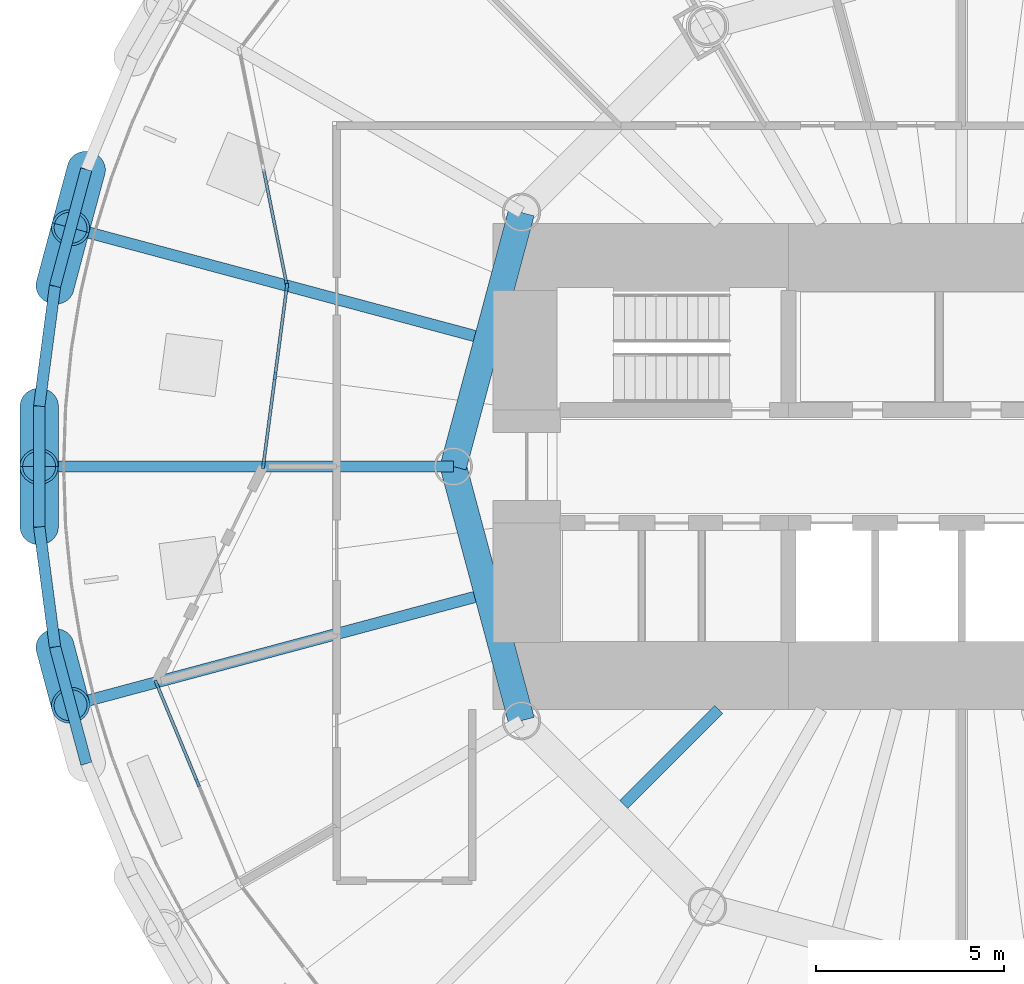
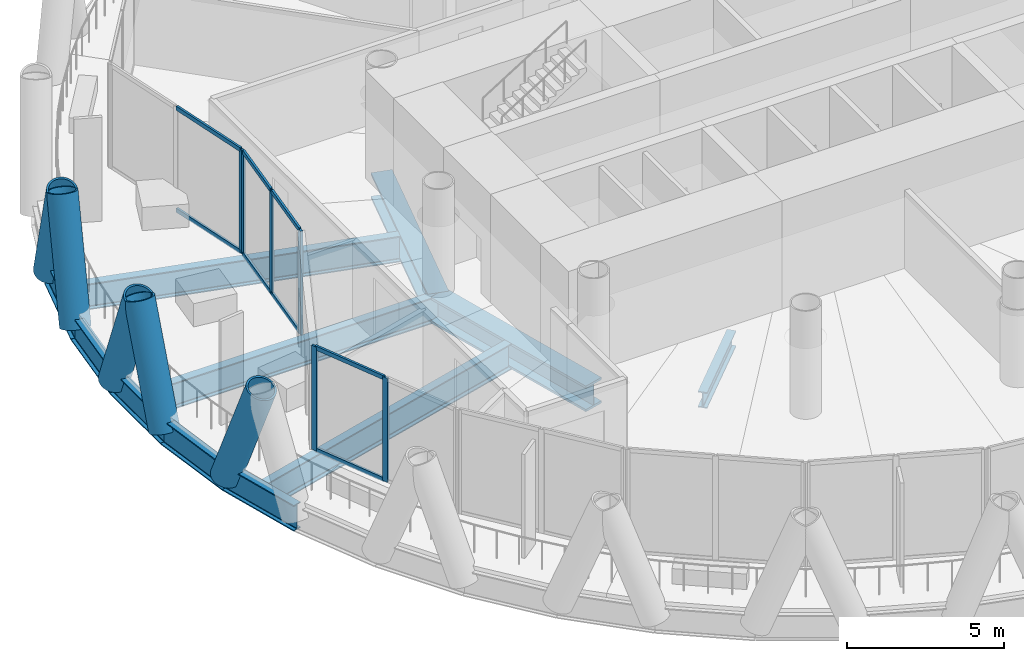
# One storey, part 3 of 16: 19 members, 11 beams, 3 elements without a shape of their own.
"""IFC4 building model written with IfcOpenShell, lengths in metres."""

from ifc_helpers import new_model, si_unit, direction, frame, origin, origin_2d, place, context, subcontext, project, spatial, rectangle, hollow_circle, i_section, extrude, material, material_profile, profile_set, type_object, element, aggregate, save


model = new_model("IFC4")

# Units and contexts
model_context = context("Model", 3, precision=1e-05, world=origin(), true_north=direction((0.0, 1.0)))
body_context = subcontext(model_context, "Body", "Model", "MODEL_VIEW")
ifc_project = project(units=[si_unit("LENGTHUNIT", "METRE"), si_unit("AREAUNIT", "SQUARE_METRE"), si_unit("VOLUMEUNIT", "CUBIC_METRE"), si_unit("PLANEANGLEUNIT", "RADIAN"), si_unit("MASSUNIT", "GRAM", prefix="KILO")], contexts=[model_context])

# Site, building, storey
site_placement = place(None, origin())
site = spatial("IfcSite", under=ifc_project, at=site_placement, CompositionType="ELEMENT")
building_placement = place(site_placement, origin())
building = spatial("IfcBuilding", under=site, at=building_placement, Name="Qaws Media Tower", CompositionType="ELEMENT")
storey_placement = place(building_placement, frame((0.0, 0.0, 173.0)))
storey = spatial("IfcBuildingStorey", under=building, at=storey_placement, Name="L39", CompositionType="ELEMENT", Elevation=173.0)

# Curtain wall, member
ifc_material_1 = material(Name="Aluminium and clear glass", Category="aluminium")
curtain_wall_type_1 = type_object("IfcCurtainWallType", Name="Loggia curtain wall CW-G", PredefinedType="NOTDEFINED", material=ifc_material_1)
curtain_wall_1_placement = place(storey_placement, origin())
curtain_wall_1 = element("IfcCurtainWall", 1, at=curtain_wall_1_placement, inside=storey, type_object=curtain_wall_type_1, Name="CWG curtain wall L39-11", PredefinedType="NOTDEFINED")
ifc_material_2 = material(Name="Aluminium mullion", Category="aluminium")
ifc_material_profile_1 = material_profile(ifc_material_2, rectangle(XDim=0.080078125, YDim=0.199951171875, at=origin_2d()), Name="80x200")
ifc_profile_set_1 = profile_set([ifc_material_profile_1], Name="Aluminium mullion")
member_type_1 = type_object("IfcMemberType", Name="Curtain wall mullion 80x200", PredefinedType="MULLION", material=ifc_profile_set_1)
member_1_placement = place(storey_placement, frame((42.07421875, 54.84033203125, 0.0), z_axis=(0.0, 0.0, 1.0), x_axis=(0.980286386227, 0.197581884235, 0.0)))
member_1 = element("IfcMember", 2, at=member_1_placement, type_object=member_type_1, Name="CWG mullion 3", PredefinedType="MULLION", context=body_context, shape_type="SweptSolid", body=[
    extrude(rectangle(XDim=0.080078125, YDim=0.199951171875, at=origin_2d()), origin(), (0.0, 0.0, 1.0), 4.0400390625),
])

# Curtain wall, members
curtain_wall_2_placement = place(storey_placement, origin())
curtain_wall_2 = element("IfcCurtainWall", 3, at=curtain_wall_2_placement, inside=storey, type_object=curtain_wall_type_1, Name="CWG curtain wall L39-12", PredefinedType="NOTDEFINED")
member_2_placement = place(storey_placement, frame((42.076904296875, 54.761474609375, 0.0), z_axis=(0.0, 0.0, 1.0), x_axis=(0.991444858289, -0.13052621565, 0.0)))
member_2 = element("IfcMember", 4, at=member_2_placement, type_object=member_type_1, Name="CWG mullion 1", PredefinedType="MULLION", context=body_context, shape_type="SweptSolid", body=[
    extrude(rectangle(XDim=0.080078125, YDim=0.199951171875, at=origin_2d()), origin(), (0.0, 0.0, 1.0), 4.0400390625),
])
member_3_placement = place(storey_placement, frame((41.76611328125, 52.400634765625, 0.0), z_axis=(0.0, 0.0, 1.0), x_axis=(0.991444858289, -0.13052621565, 0.0)))
member_3 = element("IfcMember", 5, at=member_3_placement, type_object=member_type_1, Name="CWG mullion 2", PredefinedType="MULLION", context=body_context, shape_type="SweptSolid", body=[
    extrude(rectangle(XDim=0.080078125, YDim=0.199951171875, at=origin_2d()), origin(), (0.0, 0.0, 1.0), 4.0400390625),
])
member_4_placement = place(storey_placement, frame((41.455322265625, 50.03955078125, 0.0), z_axis=(0.0, 0.0, 1.0), x_axis=(0.991444858289, -0.13052621565, 0.0)))
member_4 = element("IfcMember", 6, at=member_4_placement, type_object=member_type_1, Name="CWG mullion 3", PredefinedType="MULLION", context=body_context, shape_type="SweptSolid", body=[
    extrude(rectangle(XDim=0.080078125, YDim=0.199951171875, at=origin_2d()), origin(), (0.0, 0.0, 1.0), 4.0400390625),
])

ifc_material_3 = material(Name="Aluminium and clear glass", Category="aluminium")
curtain_wall_type_2 = type_object("IfcCurtainWallType", Name="Unitised curtain wall CW-B", PredefinedType="NOTDEFINED", material=ifc_material_3)
curtain_wall_3_placement = place(storey_placement, origin())
curtain_wall_3 = element("IfcCurtainWall", 7, at=curtain_wall_3_placement, inside=storey, type_object=curtain_wall_type_2, Name="CWB curtain wall L39-14", PredefinedType="NOTDEFINED")
member_5_placement = place(storey_placement, frame((38.6201171875, 44.230224609375, 0.0), z_axis=(0.0, 0.0, 1.0), x_axis=(0.923879550605, 0.382683388683, 0.0)))
member_5 = element("IfcMember", 8, at=member_5_placement, type_object=member_type_1, Name="CWB mullion 1", PredefinedType="MULLION", context=body_context, shape_type="SweptSolid", body=[
    extrude(rectangle(XDim=0.080078125, YDim=0.199951171875, at=origin_2d()), origin(), (0.0, 0.0, 1.0), 4.0400390625),
])
member_6_placement = place(storey_placement, frame((39.711181640625, 41.59619140625, 0.0), z_axis=(0.0, 0.0, 1.0), x_axis=(0.923879550605, 0.382683388683, 0.0)))
member_6 = element("IfcMember", 9, at=member_6_placement, type_object=member_type_1, Name="CWB mullion 2", PredefinedType="MULLION", context=body_context, shape_type="SweptSolid", body=[
    extrude(rectangle(XDim=0.080078125, YDim=0.199951171875, at=origin_2d()), origin(), (0.0, 0.0, 1.0), 4.0400390625),
])

# Member
ifc_material_4 = material(Name="Aluminium transom", Category="aluminium")
ifc_material_profile_2 = material_profile(ifc_material_4, rectangle(XDim=0.080078125, YDim=0.159912109375, at=origin_2d()), Name="80x160")
ifc_profile_set_2 = profile_set([ifc_material_profile_2], Name="Aluminium transom")
member_type_2 = type_object("IfcMemberType", Name="Curtain wall transom 80x160", PredefinedType="USERDEFINED", material=ifc_profile_set_2)
member_7_placement = place(storey_placement, frame((41.457763671875, 57.89892578125, 0.0400390625), z_axis=(0.1975182434, -0.980299211223, 0.0), x_axis=(0.980299211223, 0.1975182434, 0.0)))
member_7 = element("IfcMember", 10, at=member_7_placement, type_object=member_type_2, Name="CWG transom 2.1", ObjectType="TRANSOM", PredefinedType="USERDEFINED", context=body_context, shape_type="SweptSolid", body=[
    extrude(rectangle(XDim=0.080078125, YDim=0.159912109375, at=origin_2d()), origin(), (0.0, 0.0, 1.0), 3.080322265625),
])

member_8_placement = place(storey_placement, frame((41.457763671875, 57.89892578125, 4.0), z_axis=(0.1975182434, -0.980299211223, 0.0), x_axis=(0.980299211223, 0.1975182434, 0.0)))
member_8 = element("IfcMember", 11, at=member_8_placement, type_object=member_type_2, Name="CWG transom 2.2", ObjectType="TRANSOM", PredefinedType="USERDEFINED", context=body_context, shape_type="SweptSolid", body=[
    extrude(rectangle(XDim=0.080078125, YDim=0.159912109375, at=origin_2d()), origin(), (0.0, 0.0, 1.0), 3.080322265625),
])

aggregate(curtain_wall_1, [member_1, member_7, member_8])

member_9_placement = place(storey_placement, frame((42.071533203125, 54.7216796875, 0.0400390625), z_axis=(-0.130495678972, -0.991448878041, 0.0), x_axis=(0.991448878041, -0.130495678972, 0.0)))
member_9 = element("IfcMember", 12, at=member_9_placement, type_object=member_type_2, Name="CWG transom 1.1", ObjectType="TRANSOM", PredefinedType="USERDEFINED", context=body_context, shape_type="SweptSolid", body=[
    extrude(rectangle(XDim=0.080078125, YDim=0.159912109375, at=origin_2d()), origin(), (0.0, 0.0, 1.0), 2.30126953125),
])

member_10_placement = place(storey_placement, frame((42.071533203125, 54.7216796875, 4.0), z_axis=(-0.130495678972, -0.991448878041, 0.0), x_axis=(0.991448878041, -0.130495678972, 0.0)))
member_10 = element("IfcMember", 13, at=member_10_placement, type_object=member_type_2, Name="CWG transom 1.2", ObjectType="TRANSOM", PredefinedType="USERDEFINED", context=body_context, shape_type="SweptSolid", body=[
    extrude(rectangle(XDim=0.080078125, YDim=0.159912109375, at=origin_2d()), origin(), (0.0, 0.0, 1.0), 2.30126953125),
])

member_11_placement = place(storey_placement, frame((41.7607421875, 52.36083984375, 0.0400390625), z_axis=(-0.130495678972, -0.991448878041, 0.0), x_axis=(0.991448878041, -0.130495678972, 0.0)))
member_11 = element("IfcMember", 14, at=member_11_placement, type_object=member_type_2, Name="CWG transom 2.1", ObjectType="TRANSOM", PredefinedType="USERDEFINED", context=body_context, shape_type="SweptSolid", body=[
    extrude(rectangle(XDim=0.080078125, YDim=0.159912109375, at=origin_2d()), origin(), (0.0, 0.0, 1.0), 2.30126953125),
])

member_12_placement = place(storey_placement, frame((41.7607421875, 52.36083984375, 4.0), z_axis=(-0.130495678972, -0.991448878041, 0.0), x_axis=(0.991448878041, -0.130495678972, 0.0)))
member_12 = element("IfcMember", 15, at=member_12_placement, type_object=member_type_2, Name="CWG transom 2.2", ObjectType="TRANSOM", PredefinedType="USERDEFINED", context=body_context, shape_type="SweptSolid", body=[
    extrude(rectangle(XDim=0.080078125, YDim=0.159912109375, at=origin_2d()), origin(), (0.0, 0.0, 1.0), 2.30126953125),
])

aggregate(curtain_wall_2, [member_2, member_3, member_4, member_9, member_10, member_11, member_12])

member_13_placement = place(storey_placement, frame((38.63525390625, 44.193359375, 0.0400390625), z_axis=(0.382694138048, -0.923875098, 0.0), x_axis=(0.923875098, 0.382694138048, 0.0)))
member_13 = element("IfcMember", 16, at=member_13_placement, type_object=member_type_2, Name="CWB transom 1.1", ObjectType="TRANSOM", PredefinedType="USERDEFINED", context=body_context, shape_type="SweptSolid", body=[
    extrude(rectangle(XDim=0.080078125, YDim=0.159912109375, at=origin_2d()), origin(), (0.0, 0.0, 1.0), 2.771240234375),
])

member_14_placement = place(storey_placement, frame((38.63525390625, 44.193359375, 4.0), z_axis=(0.382694138048, -0.923875098, 0.0), x_axis=(0.923875098, 0.382694138048, 0.0)))
member_14 = element("IfcMember", 17, at=member_14_placement, type_object=member_type_2, Name="CWB transom 1.2", ObjectType="TRANSOM", PredefinedType="USERDEFINED", context=body_context, shape_type="SweptSolid", body=[
    extrude(rectangle(XDim=0.080078125, YDim=0.159912109375, at=origin_2d()), origin(), (0.0, 0.0, 1.0), 2.771240234375),
])

aggregate(curtain_wall_3, [member_5, member_6, member_13, member_14])

# Members
ifc_material_5 = material(Name="Steel S460", Category="steel")
ifc_material_profile_3 = material_profile(ifc_material_5, hollow_circle(Radius=0.508056640625, WallThickness=0.070068359375, at=origin_2d()), Name="CHS 1016x70")
ifc_profile_set_3 = profile_set([ifc_material_profile_3], Name="Steel S460")
member_type_3 = type_object("IfcMemberType", Name="Diagrid member CHS 1016x70", PredefinedType="USERDEFINED", material=ifc_profile_set_3)
for number, where, z_axis, x_axis, name in (
    (18, (36.7529296875, 57.891357421875, -0.6640625), (-0.093009945788, -0.344782928051, 0.934063104136), (0.965486453387, -0.260453274748, 0.0), "DG3 diagrid L39 A11"),
    (19, (35.50244140625, 51.605712890625, -0.6640625), (-0.000542965113, -0.357108154799, 0.934062883839), (0.999998844118, -0.001520448296, 0.0), "DG3 diagrid L39 A12"),
    (20, (35.921630859375, 54.78955078125, -0.6640625), (0.091870799461, 0.345058469608, 0.934074091686), (-0.966335817564, 0.257284060318, 0.0), "DG3 diagrid L39 B12"),
    (21, (35.921630859375, 45.21044921875, -0.6640625), (0.091870799461, -0.345058469608, 0.934074091686), (0.966335817564, 0.257284060318, 0.0), "DG3 diagrid L39 A13"),
    (22, (35.50244140625, 48.394287109375, -0.6640625), (-0.000542965113, 0.357108154799, 0.934062883839), (-0.999998844118, -0.001520448296, 0.0), "DG3 diagrid L39 B13"),
):
    element("IfcMember", number, at=place(storey_placement, frame(where, z_axis=z_axis, x_axis=x_axis)), inside=storey, type_object=member_type_3, Name=name, ObjectType="DIAGRID", PredefinedType="USERDEFINED", context=body_context, shape_type="SweptSolid", body=[
        extrude(hollow_circle(Radius=0.508056640625, WallThickness=0.070068359375, at=origin_2d()), origin(), (0.0, 0.0, 1.0), 4.496337890625),
    ])

# Beams
ifc_material_6 = material(Name="Steel S460", Category="steel")
ifc_material_profile_4 = material_profile(ifc_material_6, i_section(OverallWidth=0.302001953125, OverallDepth=1.008056640625, WebThickness=0.02099609375, FlangeThickness=0.0400390625, FilletRadius=0.030029296875, at=origin_2d()), Name="HE 1000 M")
ifc_profile_set_4 = profile_set([ifc_material_profile_4], Name="Steel S460")
beam_type_1 = type_object("IfcBeamType", Name="Edge ring beam HE 1000 M", PredefinedType="BEAM", material=ifc_profile_set_4)
beam_1_placement = place(storey_placement, frame((36.7529296875, 57.891357421875, -0.6640625), z_axis=(-0.258869088973, -0.965912415685, 0.0), x_axis=(0.965912415685, -0.258869088973, 0.0)))
element("IfcBeam", 23, at=beam_1_placement, inside=storey, type_object=beam_type_1, Name="RB3 edge ring beam L39-22", PredefinedType="BEAM", context=body_context, shape_type="SweptSolid", body=[
    extrude(i_section(OverallWidth=0.302001953125, OverallDepth=1.008056640625, WebThickness=0.02099609375, FlangeThickness=0.0400390625, FilletRadius=0.030029296875, at=origin_2d()), origin(), (0.0, 0.0, 1.0), 3.211181640625),
])
for number, where, z_axis, x_axis, name in (
    (24, (35.921630859375, 54.78955078125, -0.6640625), (-0.130535143282, -0.991443682903, 0.0), (0.991443682903, -0.130535143282, 0.0), "RB3 edge ring beam L39-23"),
    (25, (35.50244140625, 51.605712890625, -0.6640625), (0.0, -1.0, 0.0), (1.0, 0.0, 0.0), "RB3 edge ring beam L39-24"),
    (26, (35.50244140625, 48.394287109375, -0.6640625), (0.130535143282, -0.991443682903, 0.0), (0.991443682903, 0.130535143282, 0.0), "RB3 edge ring beam L39-25"),
):
    element("IfcBeam", number, at=place(storey_placement, frame(where, z_axis=z_axis, x_axis=x_axis)), inside=storey, type_object=beam_type_1, Name=name, PredefinedType="BEAM", context=body_context, shape_type="SweptSolid", body=[
        extrude(i_section(OverallWidth=0.302001953125, OverallDepth=1.008056640625, WebThickness=0.02099609375, FlangeThickness=0.0400390625, FilletRadius=0.030029296875, at=origin_2d()), origin(), (0.0, 0.0, 1.0), 3.21142578125),
    ])
beam_2_placement = place(storey_placement, frame((35.921630859375, 45.21044921875, -0.6640625), z_axis=(0.258869088973, -0.965912415685, 0.0), x_axis=(0.965912415685, 0.258869088973, 0.0)))
element("IfcBeam", 27, at=beam_2_placement, inside=storey, type_object=beam_type_1, Name="RB3 edge ring beam L39-26", PredefinedType="BEAM", context=body_context, shape_type="SweptSolid", body=[
    extrude(i_section(OverallWidth=0.302001953125, OverallDepth=1.008056640625, WebThickness=0.02099609375, FlangeThickness=0.0400390625, FilletRadius=0.030029296875, at=origin_2d()), origin(), (0.0, 0.0, 1.0), 3.211181640625),
])
ifc_material_7 = material(Name="Steel S460", Category="steel")
ifc_material_profile_5 = material_profile(ifc_material_7, i_section(OverallWidth=0.699951171875, OverallDepth=1.0, WebThickness=0.034912109375, FlangeThickness=0.090087890625, at=origin_2d()), Name="PG 1000x700")
ifc_profile_set_5 = profile_set([ifc_material_profile_5], Name="Steel S460")
beam_type_2 = type_object("IfcBeamType", Name="Inner ring girder PG 1000x700", PredefinedType="BEAM", material=ifc_profile_set_5)
for number, where, z_axis, x_axis, name in (
    (28, (48.30859375, 56.75, -0.659912109375), (-0.258810593767, -0.965928090778, 0.0), (0.965928090778, -0.258810593767, 0.0), "B3 inner ring beam L39 I06-I07"),
    (29, (46.5, 50.0, -0.659912109375), (0.258810593767, -0.965928090778, 0.0), (0.965928090778, 0.258810593767, 0.0), "B3 inner ring beam L39 I07-I08"),
):
    element("IfcBeam", number, at=place(storey_placement, frame(where, z_axis=z_axis, x_axis=x_axis)), inside=storey, type_object=beam_type_2, Name=name, PredefinedType="BEAM", context=body_context, shape_type="SweptSolid", body=[
        extrude(i_section(OverallWidth=0.699951171875, OverallDepth=1.0, WebThickness=0.034912109375, FlangeThickness=0.090087890625, at=origin_2d()), origin(), (0.0, 0.0, 1.0), 6.988037109375),
    ])
ifc_material_8 = material(Name="Steel S355", Category="steel")
ifc_material_profile_6 = material_profile(ifc_material_8, i_section(OverallWidth=0.302001953125, OverallDepth=1.008056640625, WebThickness=0.02099609375, FlangeThickness=0.0400390625, FilletRadius=0.030029296875, at=origin_2d()), Name="HE 1000 M")
ifc_profile_set_6 = profile_set([ifc_material_profile_6], Name="Steel S355")
beam_type_3 = type_object("IfcBeamType", Name="Radial beam HE 1000 M", PredefinedType="BEAM", material=ifc_profile_set_6)
beam_3_placement = place(storey_placement, frame((47.066162109375, 53.465576171875, -0.6640625), z_axis=(-0.965925976093, 0.258818486028, 0.0), x_axis=(-0.258818486028, -0.965925976093, 0.0)))
element("IfcBeam", 30, at=beam_3_placement, inside=storey, type_object=beam_type_3, Name="B1 radial beam L39 12", PredefinedType="BEAM", context=body_context, shape_type="SweptSolid", body=[
    extrude(i_section(OverallWidth=0.302001953125, OverallDepth=1.008056640625, WebThickness=0.02099609375, FlangeThickness=0.0400390625, FilletRadius=0.030029296875, at=origin_2d()), origin(), (0.0, 0.0, 1.0), 11.107177734375),
])
beam_4_placement = place(storey_placement, frame((46.5, 50.0, -0.6640625), z_axis=(-1.0, 0.0, 0.0), x_axis=(0.0, -1.0, 0.0)))
element("IfcBeam", 31, at=beam_4_placement, inside=storey, type_object=beam_type_3, Name="B1 radial beam L39 13", PredefinedType="BEAM", context=body_context, shape_type="SweptSolid", body=[
    extrude(i_section(OverallWidth=0.302001953125, OverallDepth=1.008056640625, WebThickness=0.02099609375, FlangeThickness=0.0400390625, FilletRadius=0.030029296875, at=origin_2d()), origin(), (0.0, 0.0, 1.0), 10.99755859375),
])
beam_5_placement = place(storey_placement, frame((47.066162109375, 46.534423828125, -0.6640625), z_axis=(-0.965925976093, -0.258818486028, 0.0), x_axis=(0.258818486028, -0.965925976093, 0.0)))
element("IfcBeam", 32, at=beam_5_placement, inside=storey, type_object=beam_type_3, Name="B1 radial beam L39 14", PredefinedType="BEAM", context=body_context, shape_type="SweptSolid", body=[
    extrude(i_section(OverallWidth=0.302001953125, OverallDepth=1.008056640625, WebThickness=0.02099609375, FlangeThickness=0.0400390625, FilletRadius=0.030029296875, at=origin_2d()), origin(), (0.0, 0.0, 1.0), 11.107177734375),
])
ifc_material_9 = material(Name="Steel S355", Category="steel")
ifc_material_profile_7 = material_profile(ifc_material_9, i_section(OverallWidth=0.304931640625, OverallDepth=0.6201171875, WebThickness=0.02099609375, FlangeThickness=0.0400390625, FilletRadius=0.027099609375, at=origin_2d()), Name="HE 600 M")
ifc_profile_set_7 = profile_set([ifc_material_profile_7], Name="Steel S355")
beam_type_4 = type_object("IfcBeamType", Name="Radial beam HE 600 M, core side", PredefinedType="BEAM", material=ifc_profile_set_7)
beam_6_placement = place(storey_placement, frame((53.550048828125, 43.550048828125, -0.469970703125), z_axis=(-0.707106781187, -0.707106781187, 0.0), x_axis=(0.707106781187, -0.707106781187, 0.0)))
element("IfcBeam", 33, at=beam_6_placement, inside=storey, type_object=beam_type_4, Name="B2 radial beam L39 16", PredefinedType="BEAM", context=body_context, shape_type="SweptSolid", body=[
    extrude(i_section(OverallWidth=0.304931640625, OverallDepth=0.6201171875, WebThickness=0.02099609375, FlangeThickness=0.0400390625, FilletRadius=0.027099609375, at=origin_2d()), origin(), (0.0, 0.0, 1.0), 3.568359375),
])

save(model, "model.ifc")
